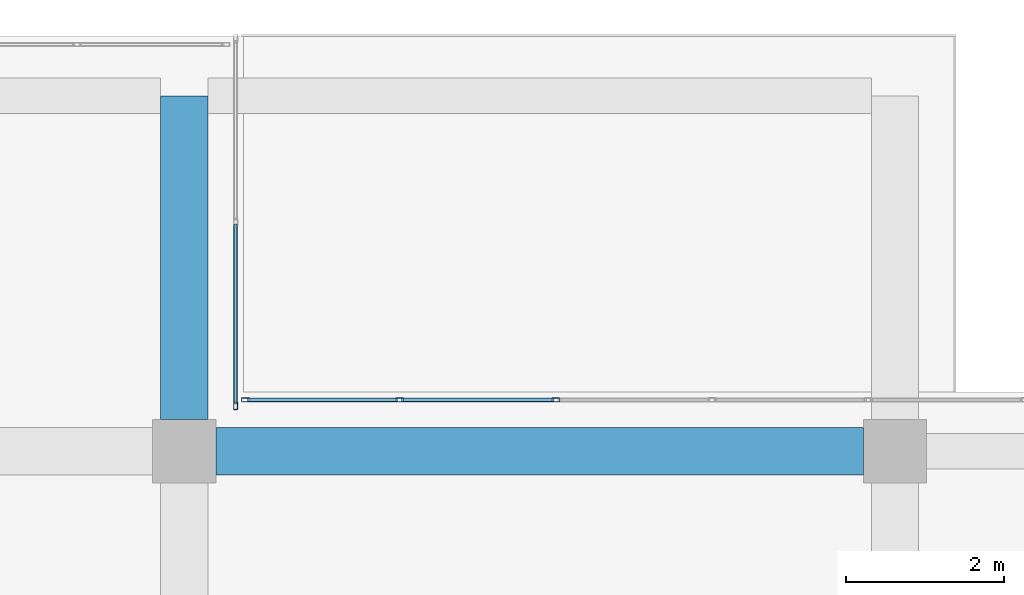
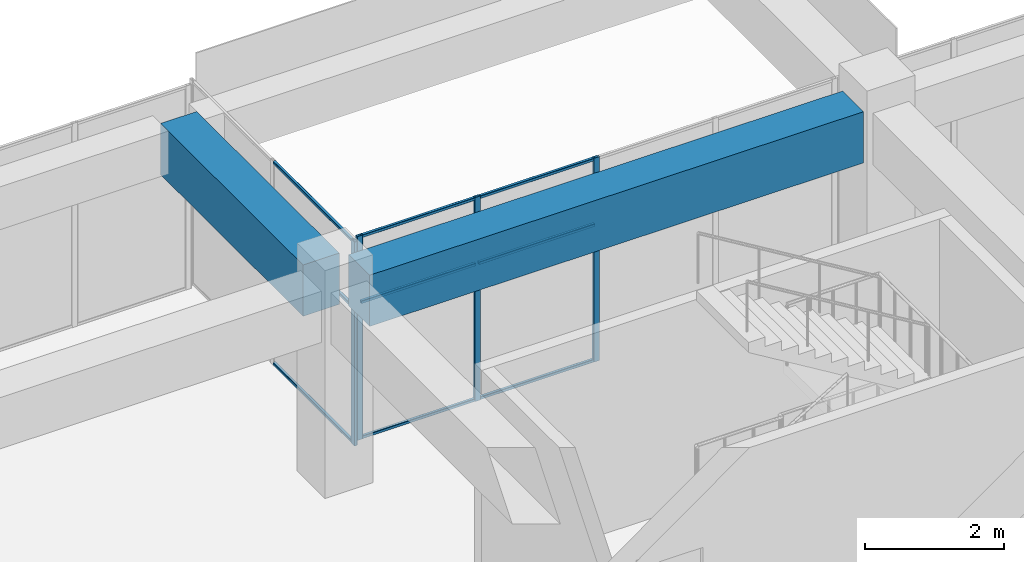
# One storey, part 39 of 72: 13 members, 2 beams, 2 elements without a shape of their own.
"""IFC4 building model written with IfcOpenShell, lengths in metres."""

from ifc_helpers import new_model, si_unit, direction, frame, origin, origin_2d, place, context, subcontext, project, spatial, rectangle, hollow_rectangle, extrude, material, layer, layer_set, material_profile, profile_set, type_object, element, aggregate, save


model = new_model("IFC4")

# Units and contexts
model_context = context("Model", 3, precision=1e-05, world=origin(), true_north=direction((0.0, 1.0)))
body_context = subcontext(model_context, "Body", "Model", "MODEL_VIEW")
ifc_project = project(units=[si_unit("LENGTHUNIT", "METRE"), si_unit("AREAUNIT", "SQUARE_METRE"), si_unit("VOLUMEUNIT", "CUBIC_METRE"), si_unit("PLANEANGLEUNIT", "RADIAN"), si_unit("MASSUNIT", "GRAM", prefix="KILO")], contexts=[model_context])

# Site, building, storey
site_placement = place(None, origin())
site = spatial("IfcSite", under=ifc_project, at=site_placement, CompositionType="ELEMENT")
building_placement = place(site_placement, origin())
building = spatial("IfcBuilding", under=site, at=building_placement, Name="Tuart Plaza Theatre", CompositionType="ELEMENT")
storey_placement = place(building_placement, frame((0.0, 0.0, 13.5)))
storey = spatial("IfcBuildingStorey", under=building, at=storey_placement, Name="L03", CompositionType="ELEMENT", Elevation=13.5)

# Beams
ifc_material_1 = material(Name="Concrete N40 (40 MPa)", Category="concrete")
ifc_material_profile_1 = material_profile(ifc_material_1, rectangle(XDim=0.60009765625, YDim=0.89990234375, at=origin_2d()), Name="BEAM 600x900 Concrete N40 (40 MPa)")
ifc_profile_set_1 = profile_set([ifc_material_profile_1], Name="Concrete N40 (40 MPa)")
beam_type = type_object("IfcBeamType", Name="BEAM 600x900 Concrete N40 (40 MPa)", PredefinedType="BEAM", material=ifc_profile_set_1)
beam_1_placement = place(storey_placement, frame((132.0, 92.39990234375, 3.1298828125), z_axis=(0.0, 1.0, 0.0), x_axis=(-1.0, 0.0, 0.0)))
element("IfcBeam", 1, at=beam_1_placement, inside=storey, type_object=beam_type, Name="RB186", PredefinedType="BEAM", context=body_context, shape_type="SweptSolid", body=[
    extrude(rectangle(XDim=0.60009765625, YDim=0.89990234375, at=origin_2d()), origin(), (0.0, 0.0, 1.0), 4.10009765625),
])
beam_2_placement = place(storey_placement, frame((132.39990234375, 92.0, 3.1298828125), z_axis=(1.0, 0.0, 0.0), x_axis=(0.0, 1.0, 0.0)))
element("IfcBeam", 2, at=beam_2_placement, inside=storey, type_object=beam_type, Name="RB187", PredefinedType="BEAM", context=body_context, shape_type="SweptSolid", body=[
    extrude(rectangle(XDim=0.60009765625, YDim=0.89990234375, at=origin_2d()), origin(), (0.0, 0.0, 1.0), 8.2001953125),
])

# Curtain wall, members
ifc_material_2 = material(Name="Aluminium and glass", Category="aluminium")
ifc_layer = layer(ifc_material_2, 0.10009765625)
ifc_layer_set = layer_set([ifc_layer], Name="CURTAIN WALL 2000 module")
curtain_wall_type = type_object("IfcCurtainWallType", Name="CURTAIN WALL 2000 module", PredefinedType="NOTDEFINED", material=ifc_layer_set)
curtain_wall_1_placement = place(storey_placement, origin())
curtain_wall_1 = element("IfcCurtainWall", 3, at=curtain_wall_1_placement, inside=storey, type_object=curtain_wall_type, Name="CW70", PredefinedType="NOTDEFINED")
ifc_material_3 = material(Name="Aluminium 6063-T5", Category="aluminium")
ifc_material_profile_2 = material_profile(ifc_material_3, hollow_rectangle(XDim=0.050048828125, YDim=0.10009765625, WallThickness=0.00390625, InnerFilletRadius=0.00390625, OuterFilletRadius=0.008056640625, at=origin_2d()), Name="RHS 100x50x4")
ifc_profile_set_2 = profile_set([ifc_material_profile_2], Name="Aluminium 6063-T5")
member_type_1 = type_object("IfcMemberType", Name="MULLION RHS 100x50x4", PredefinedType="MULLION", material=ifc_profile_set_2)
member_1_placement = place(storey_placement, frame((136.70556640625, 92.64990234375, 0.0), z_axis=(0.0, 0.0, 1.0), x_axis=(0.0, -1.0, 0.0)))
member_1 = element("IfcMember", 4, at=member_1_placement, type_object=member_type_1, Name="CW70 mullion 8", PredefinedType="MULLION", context=body_context, shape_type="SweptSolid", body=[
    extrude(hollow_rectangle(XDim=0.050048828125, YDim=0.10009765625, WallThickness=0.00390625, InnerFilletRadius=0.00390625, OuterFilletRadius=0.008056640625, at=origin_2d()), origin(), (0.0, 0.0, 1.0), 3.580078125),
])
member_2_placement = place(storey_placement, frame((134.727783203125, 92.64990234375, 0.0), z_axis=(0.0, 0.0, 1.0), x_axis=(0.0, -1.0, 0.0)))
member_2 = element("IfcMember", 5, at=member_2_placement, type_object=member_type_1, Name="CW70 mullion 9", PredefinedType="MULLION", context=body_context, shape_type="SweptSolid", body=[
    extrude(hollow_rectangle(XDim=0.050048828125, YDim=0.10009765625, WallThickness=0.00390625, InnerFilletRadius=0.00390625, OuterFilletRadius=0.008056640625, at=origin_2d()), origin(), (0.0, 0.0, 1.0), 3.580078125),
])
member_3_placement = place(storey_placement, frame((132.77490234375, 92.64990234375, 0.0), z_axis=(0.0, 0.0, 1.0), x_axis=(0.0, -1.0, 0.0)))
member_3 = element("IfcMember", 6, at=member_3_placement, type_object=member_type_1, Name="CW70 mullion 10", PredefinedType="MULLION", context=body_context, shape_type="SweptSolid", body=[
    extrude(hollow_rectangle(XDim=0.050048828125, YDim=0.10009765625, WallThickness=0.00390625, InnerFilletRadius=0.00390625, OuterFilletRadius=0.008056640625, at=origin_2d()), origin(), (0.0, 0.0, 1.0), 3.580078125),
])

# Curtain wall, member
curtain_wall_2_placement = place(storey_placement, origin())
curtain_wall_2 = element("IfcCurtainWall", 7, at=curtain_wall_2_placement, inside=storey, type_object=curtain_wall_type, Name="CW71", PredefinedType="NOTDEFINED")
member_4_placement = place(storey_placement, frame((132.64990234375, 92.574951171875, 0.0), z_axis=(0.0, 0.0, 1.0), x_axis=(-1.0, 0.0, 0.0)))
member_4 = element("IfcMember", 8, at=member_4_placement, type_object=member_type_1, Name="CW71 mullion 1", PredefinedType="MULLION", context=body_context, shape_type="SweptSolid", body=[
    extrude(hollow_rectangle(XDim=0.050048828125, YDim=0.10009765625, WallThickness=0.00390625, InnerFilletRadius=0.00390625, OuterFilletRadius=0.008056640625, at=origin_2d()), origin(), (0.0, 0.0, 1.0), 3.580078125),
])

# Member
ifc_material_4 = material(Name="Aluminium 6063-T5", Category="aluminium")
ifc_material_profile_3 = material_profile(ifc_material_4, hollow_rectangle(XDim=0.050048828125, YDim=0.050048828125, WallThickness=0.00390625, InnerFilletRadius=0.00390625, OuterFilletRadius=0.008056640625, at=origin_2d()), Name="RHS 50x50x4")
ifc_profile_set_3 = profile_set([ifc_material_profile_3], Name="Aluminium 6063-T5")
member_type_2 = type_object("IfcMemberType", Name="TRANSOM RHS 50x50x4", PredefinedType="USERDEFINED", material=ifc_profile_set_3)
member_5_placement = place(storey_placement, frame((136.6806640625, 92.64990234375, 0.02490234375), z_axis=(-1.0, 0.0, 0.0), x_axis=(0.0, -1.0, 0.0)))
member_5 = element("IfcMember", 9, at=member_5_placement, type_object=member_type_2, Name="CW70 transom 8.1", ObjectType="TRANSOM", PredefinedType="USERDEFINED", context=body_context, shape_type="SweptSolid", body=[
    extrude(hollow_rectangle(XDim=0.050048828125, YDim=0.050048828125, WallThickness=0.00390625, InnerFilletRadius=0.00390625, OuterFilletRadius=0.008056640625, at=origin_2d()), origin(), (0.0, 0.0, 1.0), 1.927978515625),
])

member_6_placement = place(storey_placement, frame((136.6806640625, 92.64990234375, 2.39990234375), z_axis=(-1.0, 0.0, 0.0), x_axis=(0.0, -1.0, 0.0)))
member_6 = element("IfcMember", 10, at=member_6_placement, type_object=member_type_2, Name="CW70 transom 8.2", ObjectType="TRANSOM", PredefinedType="USERDEFINED", context=body_context, shape_type="SweptSolid", body=[
    extrude(hollow_rectangle(XDim=0.050048828125, YDim=0.050048828125, WallThickness=0.00390625, InnerFilletRadius=0.00390625, OuterFilletRadius=0.008056640625, at=origin_2d()), origin(), (0.0, 0.0, 1.0), 1.927978515625),
])

member_7_placement = place(storey_placement, frame((136.6806640625, 92.64990234375, 3.554931640625), z_axis=(-1.0, 0.0, 0.0), x_axis=(0.0, -1.0, 0.0)))
member_7 = element("IfcMember", 11, at=member_7_placement, type_object=member_type_2, Name="CW70 transom 8.3", ObjectType="TRANSOM", PredefinedType="USERDEFINED", context=body_context, shape_type="SweptSolid", body=[
    extrude(hollow_rectangle(XDim=0.050048828125, YDim=0.050048828125, WallThickness=0.00390625, InnerFilletRadius=0.00390625, OuterFilletRadius=0.008056640625, at=origin_2d()), origin(), (0.0, 0.0, 1.0), 1.927978515625),
])

member_8_placement = place(storey_placement, frame((134.702880859375, 92.64990234375, 0.02490234375), z_axis=(-1.0, 0.0, 0.0), x_axis=(0.0, -1.0, 0.0)))
member_8 = element("IfcMember", 12, at=member_8_placement, type_object=member_type_2, Name="CW70 transom 9.1", ObjectType="TRANSOM", PredefinedType="USERDEFINED", context=body_context, shape_type="SweptSolid", body=[
    extrude(hollow_rectangle(XDim=0.050048828125, YDim=0.050048828125, WallThickness=0.00390625, InnerFilletRadius=0.00390625, OuterFilletRadius=0.008056640625, at=origin_2d()), origin(), (0.0, 0.0, 1.0), 1.90283203125),
])

member_9_placement = place(storey_placement, frame((134.702880859375, 92.64990234375, 2.39990234375), z_axis=(-1.0, 0.0, 0.0), x_axis=(0.0, -1.0, 0.0)))
member_9 = element("IfcMember", 13, at=member_9_placement, type_object=member_type_2, Name="CW70 transom 9.2", ObjectType="TRANSOM", PredefinedType="USERDEFINED", context=body_context, shape_type="SweptSolid", body=[
    extrude(hollow_rectangle(XDim=0.050048828125, YDim=0.050048828125, WallThickness=0.00390625, InnerFilletRadius=0.00390625, OuterFilletRadius=0.008056640625, at=origin_2d()), origin(), (0.0, 0.0, 1.0), 1.90283203125),
])

member_10_placement = place(storey_placement, frame((134.702880859375, 92.64990234375, 3.554931640625), z_axis=(-1.0, 0.0, 0.0), x_axis=(0.0, -1.0, 0.0)))
member_10 = element("IfcMember", 14, at=member_10_placement, type_object=member_type_2, Name="CW70 transom 9.3", ObjectType="TRANSOM", PredefinedType="USERDEFINED", context=body_context, shape_type="SweptSolid", body=[
    extrude(hollow_rectangle(XDim=0.050048828125, YDim=0.050048828125, WallThickness=0.00390625, InnerFilletRadius=0.00390625, OuterFilletRadius=0.008056640625, at=origin_2d()), origin(), (0.0, 0.0, 1.0), 1.90283203125),
])

aggregate(curtain_wall_1, [member_1, member_2, member_3, member_5, member_6, member_7, member_8, member_9, member_10])

member_11_placement = place(storey_placement, frame((132.64990234375, 92.60009765625, 0.02490234375), z_axis=(0.0, 1.0, 0.0), x_axis=(-1.0, 0.0, 0.0)))
member_11 = element("IfcMember", 15, at=member_11_placement, type_object=member_type_2, Name="CW71 transom 1.1", ObjectType="TRANSOM", PredefinedType="USERDEFINED", context=body_context, shape_type="SweptSolid", body=[
    extrude(hollow_rectangle(XDim=0.050048828125, YDim=0.050048828125, WallThickness=0.00390625, InnerFilletRadius=0.00390625, OuterFilletRadius=0.008056640625, at=origin_2d()), origin(), (0.0, 0.0, 1.0), 2.27490234375),
])

member_12_placement = place(storey_placement, frame((132.64990234375, 92.60009765625, 2.39990234375), z_axis=(0.0, 1.0, 0.0), x_axis=(-1.0, 0.0, 0.0)))
member_12 = element("IfcMember", 16, at=member_12_placement, type_object=member_type_2, Name="CW71 transom 1.2", ObjectType="TRANSOM", PredefinedType="USERDEFINED", context=body_context, shape_type="SweptSolid", body=[
    extrude(hollow_rectangle(XDim=0.050048828125, YDim=0.050048828125, WallThickness=0.00390625, InnerFilletRadius=0.00390625, OuterFilletRadius=0.008056640625, at=origin_2d()), origin(), (0.0, 0.0, 1.0), 2.27490234375),
])

member_13_placement = place(storey_placement, frame((132.64990234375, 92.60009765625, 3.554931640625), z_axis=(0.0, 1.0, 0.0), x_axis=(-1.0, 0.0, 0.0)))
member_13 = element("IfcMember", 17, at=member_13_placement, type_object=member_type_2, Name="CW71 transom 1.3", ObjectType="TRANSOM", PredefinedType="USERDEFINED", context=body_context, shape_type="SweptSolid", body=[
    extrude(hollow_rectangle(XDim=0.050048828125, YDim=0.050048828125, WallThickness=0.00390625, InnerFilletRadius=0.00390625, OuterFilletRadius=0.008056640625, at=origin_2d()), origin(), (0.0, 0.0, 1.0), 2.27490234375),
])

aggregate(curtain_wall_2, [member_4, member_11, member_12, member_13])

save(model, "model.ifc")
